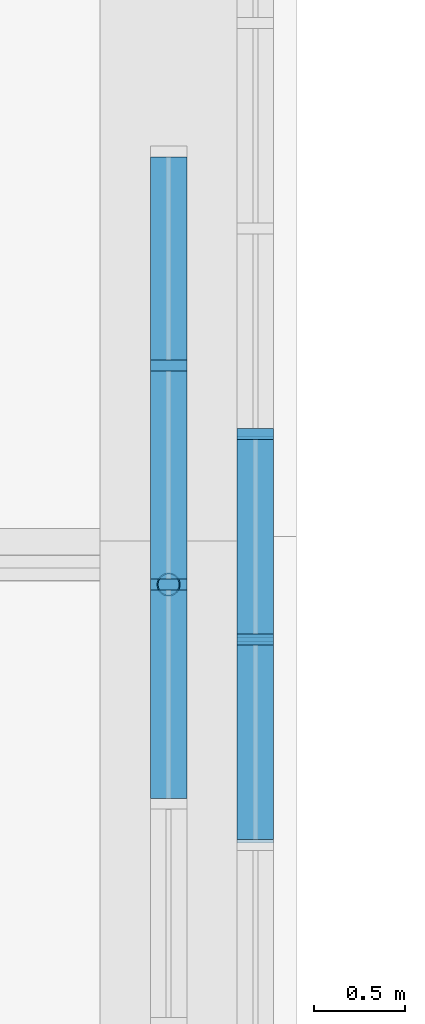
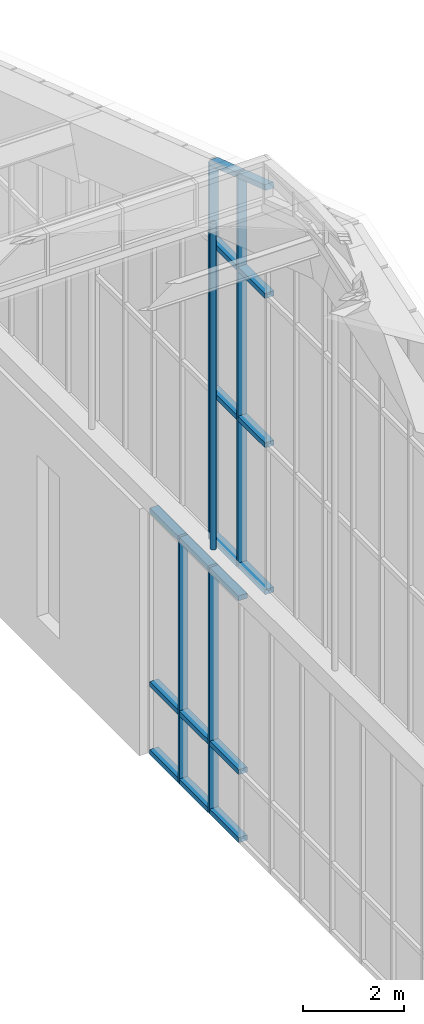
# One storey, part 99 of 149: 22 members, 2 elements without a shape of their own.
"""IFC4 building model written with IfcOpenShell, lengths in metres."""

from ifc_helpers import new_model, si_unit, direction, frame, origin, origin_2d, place, context, subcontext, project, spatial, rectangle, hollow_circle, extrude, material, material_profile, profile_set, type_object, element, aggregate, save


model = new_model("IFC4")

# Units and contexts
model_context = context("Model", 3, precision=1e-05, world=origin(), true_north=direction((0.0, 1.0)))
body_context = subcontext(model_context, "Body", "Model", "MODEL_VIEW")
ifc_project = project(units=[si_unit("LENGTHUNIT", "METRE"), si_unit("AREAUNIT", "SQUARE_METRE"), si_unit("VOLUMEUNIT", "CUBIC_METRE"), si_unit("PLANEANGLEUNIT", "RADIAN"), si_unit("MASSUNIT", "GRAM", prefix="KILO")], contexts=[model_context])

# Site, building, storey
site_placement = place(None, origin())
site = spatial("IfcSite", under=ifc_project, at=site_placement, CompositionType="ELEMENT")
building_placement = place(site_placement, origin())
building = spatial("IfcBuilding", under=site, at=building_placement, Name="Alderwick Market Hall", CompositionType="ELEMENT")
storey_placement = place(building_placement, frame((0.0, 0.0, 9.60009765625)))
storey = spatial("IfcBuildingStorey", under=building, at=storey_placement, Name="L01", CompositionType="ELEMENT", Elevation=9.60009765625)

# Curtain wall, members
ifc_material_1 = material(Name="Aluminium", Category="aluminium")
curtain_wall_type = type_object("IfcCurtainWallType", Name="R Curtain Wall Frame", PredefinedType="NOTDEFINED", material=ifc_material_1)
curtain_wall_1_placement = place(storey_placement, origin())
curtain_wall_1 = element("IfcCurtainWall", 1, at=curtain_wall_1_placement, inside=storey, type_object=curtain_wall_type, Name="Curtain wall GCW2", PredefinedType="NOTDEFINED")
ifc_material_profile_1 = material_profile(ifc_material_1, rectangle(XDim=0.199951171875, YDim=0.06005859375, at=origin_2d()), Name="AL 60x200")
ifc_profile_set_1 = profile_set([ifc_material_profile_1], Name="Aluminium")
member_type_1 = type_object("IfcMemberType", Name="R CW Mullion 60x200", PredefinedType="MULLION", material=ifc_profile_set_1)
member_1_placement = place(storey_placement, frame((151.199951171875, 84.0, 0.0), z_axis=(0.0, 0.0, 1.0), x_axis=(1.0, 0.0, 0.0)))
member_1 = element("IfcMember", 2, at=member_1_placement, type_object=member_type_1, Name="GCW2 mullion 11", PredefinedType="MULLION", context=body_context, shape_type="SweptSolid", body=[
    extrude(rectangle(XDim=0.199951171875, YDim=0.06005859375, at=origin_2d()), origin(), (0.0, 0.0, 1.0), 5.94677734375),
])
member_2_placement = place(storey_placement, frame((151.199951171875, 85.199951171875, 0.0), z_axis=(0.0, 0.0, 1.0), x_axis=(1.0, 0.0, 0.0)))
member_2 = element("IfcMember", 3, at=member_2_placement, type_object=member_type_1, Name="GCW2 mullion 12", PredefinedType="MULLION", context=body_context, shape_type="SweptSolid", body=[
    extrude(rectangle(XDim=0.199951171875, YDim=0.06005859375, at=origin_2d()), origin(), (0.0, 0.0, 1.0), 5.94677734375),
])

curtain_wall_2_placement = place(storey_placement, origin())
curtain_wall_2 = element("IfcCurtainWall", 4, at=curtain_wall_2_placement, inside=storey, type_object=curtain_wall_type, Name="Curtain wall GCW3", PredefinedType="NOTDEFINED")
member_3_placement = place(storey_placement, frame((151.675048828125, 83.699951171875, 5.94677734375), z_axis=(0.0, 0.0, 1.0), x_axis=(1.0, 0.0, 0.0)))
member_3 = element("IfcMember", 5, at=member_3_placement, type_object=member_type_1, Name="GCW3 mullion 29", PredefinedType="MULLION", context=body_context, shape_type="SweptSolid", body=[
    extrude(rectangle(XDim=0.199951171875, YDim=0.06005859375, at=origin_2d()), origin(), (0.0, 0.0, 1.0), 9.450439453125),
])
member_4_placement = place(storey_placement, frame((151.675048828125, 84.824951171875, 5.94677734375), z_axis=(0.0, 0.0, 1.0), x_axis=(1.0, 0.0, 0.0)))
member_4 = element("IfcMember", 6, at=member_4_placement, type_object=member_type_1, Name="GCW3 mullion 30", PredefinedType="MULLION", context=body_context, shape_type="SweptSolid", body=[
    extrude(rectangle(XDim=0.199951171875, YDim=0.06005859375, at=origin_2d()), origin(), (0.0, 0.0, 1.0), 9.075439453125),
])

# Member
ifc_material_profile_2 = material_profile(ifc_material_1, rectangle(XDim=0.199951171875, YDim=0.1201171875, at=origin_2d()), Name="AL 120x200")
ifc_profile_set_2 = profile_set([ifc_material_profile_2], Name="Aluminium")
member_type_2 = type_object("IfcMemberType", Name="R CW Transom 120x200", PredefinedType="USERDEFINED", material=ifc_profile_set_2)
member_5_placement = place(storey_placement, frame((151.199951171875, 82.830078125, 0.059814453125), z_axis=(0.0, 1.0, 0.0), x_axis=(-1.0, 0.0, 0.0)))
member_5 = element("IfcMember", 7, at=member_5_placement, type_object=member_type_2, Name="GCW2 sill transom 10", ObjectType="TRANSOM", PredefinedType="USERDEFINED", context=body_context, shape_type="SweptSolid", body=[
    extrude(rectangle(XDim=0.199951171875, YDim=0.1201171875, at=origin_2d()), origin(), (0.0, 0.0, 1.0), 1.139892578125),
])

member_6_placement = place(storey_placement, frame((151.199951171875, 82.830078125, 1.699951171875), z_axis=(0.0, 1.0, 0.0), x_axis=(-1.0, 0.0, 0.0)))
member_6 = element("IfcMember", 8, at=member_6_placement, type_object=member_type_2, Name="GCW2 transom 10.1", ObjectType="TRANSOM", PredefinedType="USERDEFINED", context=body_context, shape_type="SweptSolid", body=[
    extrude(rectangle(XDim=0.199951171875, YDim=0.1201171875, at=origin_2d()), origin(), (0.0, 0.0, 1.0), 1.139892578125),
])

member_7_placement = place(storey_placement, frame((151.199951171875, 82.830078125, 5.88671875), z_axis=(0.0, 1.0, 0.0), x_axis=(-1.0, 0.0, 0.0)))
member_7 = element("IfcMember", 9, at=member_7_placement, type_object=member_type_2, Name="GCW2 head transom 10", ObjectType="TRANSOM", PredefinedType="USERDEFINED", context=body_context, shape_type="SweptSolid", body=[
    extrude(rectangle(XDim=0.199951171875, YDim=0.1201171875, at=origin_2d()), origin(), (0.0, 0.0, 1.0), 1.139892578125),
])

member_8_placement = place(storey_placement, frame((151.199951171875, 84.030029296875, 0.059814453125), z_axis=(0.0, 1.0, 0.0), x_axis=(-1.0, 0.0, 0.0)))
member_8 = element("IfcMember", 10, at=member_8_placement, type_object=member_type_2, Name="GCW2 sill transom 11", ObjectType="TRANSOM", PredefinedType="USERDEFINED", context=body_context, shape_type="SweptSolid", body=[
    extrude(rectangle(XDim=0.199951171875, YDim=0.1201171875, at=origin_2d()), origin(), (0.0, 0.0, 1.0), 1.139892578125),
])

member_9_placement = place(storey_placement, frame((151.199951171875, 84.030029296875, 1.699951171875), z_axis=(0.0, 1.0, 0.0), x_axis=(-1.0, 0.0, 0.0)))
member_9 = element("IfcMember", 11, at=member_9_placement, type_object=member_type_2, Name="GCW2 transom 11.1", ObjectType="TRANSOM", PredefinedType="USERDEFINED", context=body_context, shape_type="SweptSolid", body=[
    extrude(rectangle(XDim=0.199951171875, YDim=0.1201171875, at=origin_2d()), origin(), (0.0, 0.0, 1.0), 1.139892578125),
])

member_10_placement = place(storey_placement, frame((151.199951171875, 84.030029296875, 5.88671875), z_axis=(0.0, 1.0, 0.0), x_axis=(-1.0, 0.0, 0.0)))
member_10 = element("IfcMember", 12, at=member_10_placement, type_object=member_type_2, Name="GCW2 head transom 11", ObjectType="TRANSOM", PredefinedType="USERDEFINED", context=body_context, shape_type="SweptSolid", body=[
    extrude(rectangle(XDim=0.199951171875, YDim=0.1201171875, at=origin_2d()), origin(), (0.0, 0.0, 1.0), 1.139892578125),
])

member_11_placement = place(storey_placement, frame((151.199951171875, 85.22998046875, 0.059814453125), z_axis=(0.0, 1.0, 0.0), x_axis=(-1.0, 0.0, 0.0)))
member_11 = element("IfcMember", 13, at=member_11_placement, type_object=member_type_2, Name="GCW2 sill transom 12", ObjectType="TRANSOM", PredefinedType="USERDEFINED", context=body_context, shape_type="SweptSolid", body=[
    extrude(rectangle(XDim=0.199951171875, YDim=0.1201171875, at=origin_2d()), origin(), (0.0, 0.0, 1.0), 1.110107421875),
])

member_12_placement = place(storey_placement, frame((151.199951171875, 85.22998046875, 1.699951171875), z_axis=(0.0, 1.0, 0.0), x_axis=(-1.0, 0.0, 0.0)))
member_12 = element("IfcMember", 14, at=member_12_placement, type_object=member_type_2, Name="GCW2 transom 12.1", ObjectType="TRANSOM", PredefinedType="USERDEFINED", context=body_context, shape_type="SweptSolid", body=[
    extrude(rectangle(XDim=0.199951171875, YDim=0.1201171875, at=origin_2d()), origin(), (0.0, 0.0, 1.0), 1.110107421875),
])

member_13_placement = place(storey_placement, frame((151.199951171875, 85.22998046875, 5.88671875), z_axis=(0.0, 1.0, 0.0), x_axis=(-1.0, 0.0, 0.0)))
member_13 = element("IfcMember", 15, at=member_13_placement, type_object=member_type_2, Name="GCW2 head transom 12", ObjectType="TRANSOM", PredefinedType="USERDEFINED", context=body_context, shape_type="SweptSolid", body=[
    extrude(rectangle(XDim=0.199951171875, YDim=0.1201171875, at=origin_2d()), origin(), (0.0, 0.0, 1.0), 1.110107421875),
])

aggregate(curtain_wall_1, [member_1, member_2, member_5, member_6, member_7, member_8, member_9, member_10, member_11, member_12, member_13])

member_14_placement = place(storey_placement, frame((151.675048828125, 82.60498046875, 6.006591796875), z_axis=(0.0, 1.0, 0.0), x_axis=(-1.0, 0.0, 0.0)))
member_14 = element("IfcMember", 16, at=member_14_placement, type_object=member_type_2, Name="GCW3 sill transom 28", ObjectType="TRANSOM", PredefinedType="USERDEFINED", context=body_context, shape_type="SweptSolid", body=[
    extrude(rectangle(XDim=0.199951171875, YDim=0.1201171875, at=origin_2d()), origin(), (0.0, 0.0, 1.0), 1.06494140625),
])

member_15_placement = place(storey_placement, frame((151.675048828125, 82.60498046875, 9.546630859375), z_axis=(0.0, 1.0, 0.0), x_axis=(-1.0, 0.0, 0.0)))
member_15 = element("IfcMember", 17, at=member_15_placement, type_object=member_type_2, Name="GCW3 transom 28.1", ObjectType="TRANSOM", PredefinedType="USERDEFINED", context=body_context, shape_type="SweptSolid", body=[
    extrude(rectangle(XDim=0.199951171875, YDim=0.1201171875, at=origin_2d()), origin(), (0.0, 0.0, 1.0), 1.06494140625),
])

member_16_placement = place(storey_placement, frame((151.675048828125, 82.60498046875, 13.146728515625), z_axis=(0.0, 1.0, 0.0), x_axis=(-1.0, 0.0, 0.0)))
member_16 = element("IfcMember", 18, at=member_16_placement, type_object=member_type_2, Name="GCW3 transom 28.2", ObjectType="TRANSOM", PredefinedType="USERDEFINED", context=body_context, shape_type="SweptSolid", body=[
    extrude(rectangle(XDim=0.199951171875, YDim=0.1201171875, at=origin_2d()), origin(), (0.0, 0.0, 1.0), 1.06494140625),
])

member_17_placement = place(storey_placement, frame((151.675048828125, 82.60498046875, 15.76220703125), z_axis=(0.0, 0.948683298051, -0.316227766017), x_axis=(-1.0, 0.0, 0.0)))
member_17 = element("IfcMember", 19, at=member_17_placement, type_object=member_type_2, Name="GCW3 arch cap 28", ObjectType="TRANSOM", PredefinedType="USERDEFINED", context=body_context, shape_type="SweptSolid", body=[
    extrude(rectangle(XDim=0.199951171875, YDim=0.1201171875, at=origin_2d()), origin(), (0.0, 0.0, 1.0), 1.12255859375),
])

member_18_placement = place(storey_placement, frame((151.675048828125, 83.72998046875, 6.006591796875), z_axis=(0.0, 1.0, 0.0), x_axis=(-1.0, 0.0, 0.0)))
member_18 = element("IfcMember", 20, at=member_18_placement, type_object=member_type_2, Name="GCW3 sill transom 29", ObjectType="TRANSOM", PredefinedType="USERDEFINED", context=body_context, shape_type="SweptSolid", body=[
    extrude(rectangle(XDim=0.199951171875, YDim=0.1201171875, at=origin_2d()), origin(), (0.0, 0.0, 1.0), 1.06494140625),
])

member_19_placement = place(storey_placement, frame((151.675048828125, 83.72998046875, 9.546630859375), z_axis=(0.0, 1.0, 0.0), x_axis=(-1.0, 0.0, 0.0)))
member_19 = element("IfcMember", 21, at=member_19_placement, type_object=member_type_2, Name="GCW3 transom 29.1", ObjectType="TRANSOM", PredefinedType="USERDEFINED", context=body_context, shape_type="SweptSolid", body=[
    extrude(rectangle(XDim=0.199951171875, YDim=0.1201171875, at=origin_2d()), origin(), (0.0, 0.0, 1.0), 1.06494140625),
])

member_20_placement = place(storey_placement, frame((151.675048828125, 83.72998046875, 13.146728515625), z_axis=(0.0, 1.0, 0.0), x_axis=(-1.0, 0.0, 0.0)))
member_20 = element("IfcMember", 22, at=member_20_placement, type_object=member_type_2, Name="GCW3 transom 29.2", ObjectType="TRANSOM", PredefinedType="USERDEFINED", context=body_context, shape_type="SweptSolid", body=[
    extrude(rectangle(XDim=0.199951171875, YDim=0.1201171875, at=origin_2d()), origin(), (0.0, 0.0, 1.0), 1.06494140625),
])

member_21_placement = place(storey_placement, frame((151.675048828125, 83.72998046875, 15.38720703125), z_axis=(0.0, 0.948683298051, -0.316227766017), x_axis=(-1.0, 0.0, 0.0)))
member_21 = element("IfcMember", 23, at=member_21_placement, type_object=member_type_2, Name="GCW3 arch cap 29", ObjectType="TRANSOM", PredefinedType="USERDEFINED", context=body_context, shape_type="SweptSolid", body=[
    extrude(rectangle(XDim=0.199951171875, YDim=0.1201171875, at=origin_2d()), origin(), (0.0, 0.0, 1.0), 1.12255859375),
])

aggregate(curtain_wall_2, [member_3, member_4, member_14, member_15, member_16, member_17, member_18, member_19, member_20, member_21])

ifc_material_2 = material(Name="Steel ASTM A500 Grade C", Category="steel")
ifc_material_profile_3 = material_profile(ifc_material_2, hollow_circle(Radius=0.0634765625, WallThickness=0.005859375, at=origin_2d()), Name="HSS5.000x0.250")
ifc_profile_set_3 = profile_set([ifc_material_profile_3], Name="Steel ASTM A500 Grade C")
member_type_3 = type_object("IfcMemberType", Name="R Hanger HSS5.000x0.250", PredefinedType="POST", material=ifc_profile_set_3)
member_22_placement = place(storey_placement, frame((151.199951171875, 84.0, 6.35302734375), z_axis=(0.0, 0.0, 1.0), x_axis=(1.0, 0.0, 0.0)))
element("IfcMember", 24, at=member_22_placement, inside=storey, type_object=member_type_3, Name="Arch hanger 8.7", PredefinedType="POST", context=body_context, shape_type="SweptSolid", body=[
    extrude(hollow_circle(Radius=0.0634765625, WallThickness=0.005859375, at=origin_2d()), origin(), (0.0, 0.0, 1.0), 7.856689453125),
])

save(model, "model.ifc")
